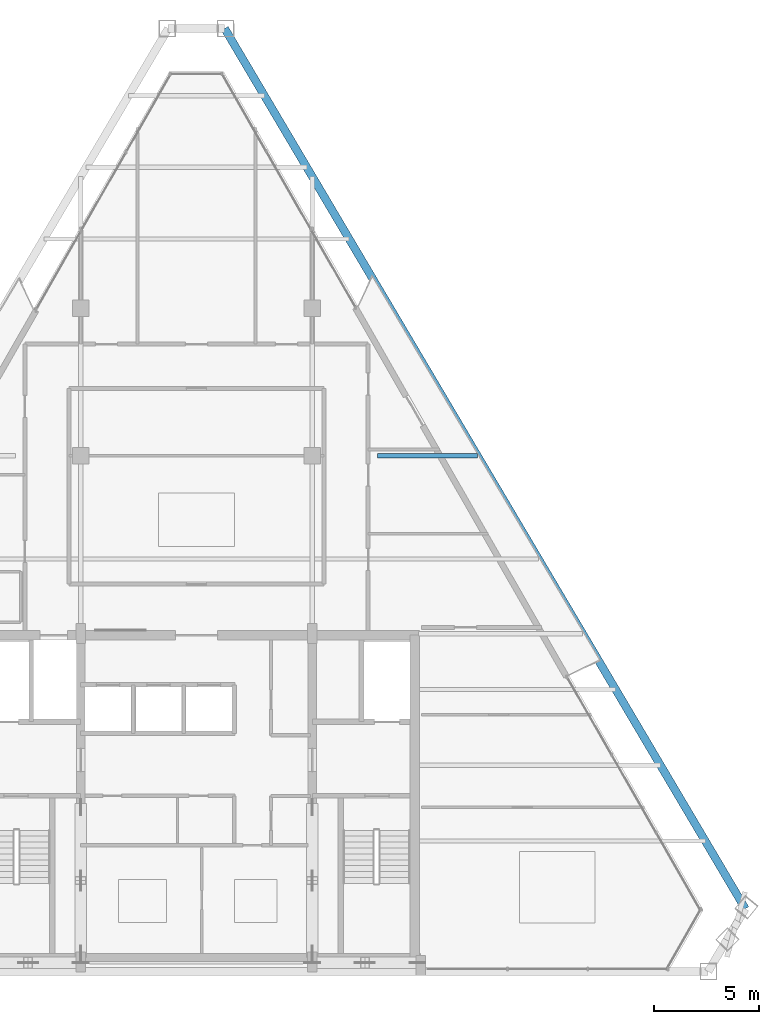
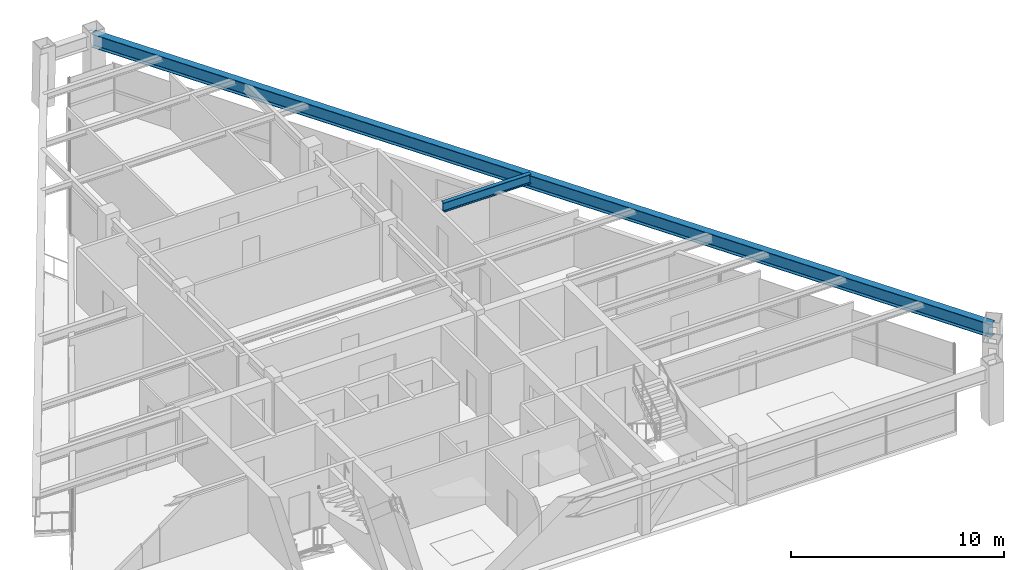
# One storey, part 6 of 13: 2 beams.
"""IFC4 building model written with IfcOpenShell, lengths in metres."""

from ifc_helpers import new_model, si_unit, direction, frame, origin, origin_2d, place, context, subcontext, project, spatial, i_section, extrude, source, transform, mapped, material, material_profile, profile_set, type_object, element, save


model = new_model("IFC4")

# Units and contexts
model_context = context("Model", 3, precision=1e-05, world=origin(), true_north=direction((0.0, 1.0)))
body_context = subcontext(model_context, "Body", "Model", "MODEL_VIEW")
ifc_project = project(units=[si_unit("LENGTHUNIT", "METRE"), si_unit("AREAUNIT", "SQUARE_METRE"), si_unit("VOLUMEUNIT", "CUBIC_METRE"), si_unit("PLANEANGLEUNIT", "RADIAN"), si_unit("MASSUNIT", "GRAM", prefix="KILO")], contexts=[model_context])

# Site, building, storey
site_placement = place(None, origin())
site = spatial("IfcSite", under=ifc_project, at=site_placement, CompositionType="ELEMENT")
building_placement = place(site_placement, origin())
building = spatial("IfcBuilding", under=site, at=building_placement, Name="Varnakhor Terracotta Tower", CompositionType="ELEMENT")
storey_placement = place(building_placement, frame((0.0, 0.0, 300.60009765625)))
storey = spatial("IfcBuildingStorey", under=building, at=storey_placement, Name="L79", CompositionType="ELEMENT", Elevation=300.60009765625)

# Beams
ifc_material = material(Name="Steel S355", Category="steel")
ifc_material_profile_1 = material_profile(ifc_material, i_section(OverallWidth=0.381103515625, OverallDepth=0.77294921875, WebThickness=0.01708984375, FlangeThickness=0.027099609375, FilletRadius=0.01806640625, at=origin_2d()), Name="W30X173")
ifc_profile_set_1 = profile_set([ifc_material_profile_1], Name="Steel S355")
beam_type_1 = type_object("IfcBeamType", Name="BM-W30X173", PredefinedType="BEAM", material=ifc_profile_set_1)
shared_shape_1 = source(origin(), body_context, "Body", "SweptSolid", [
    extrude(i_section(OverallWidth=0.381103515625, OverallDepth=0.77294921875, WebThickness=0.01708984375, FlangeThickness=0.027099609375, FilletRadius=0.01806640625, at=origin_2d()), origin(), (0.0, 0.0, 1.0), 48.57177734375),
])
beam_1_placement = place(storey_placement, frame((26.068603515625, 2.985595703125, 2.763427734375), z_axis=(-0.509097754453, 0.860708705899, 0.0), x_axis=(-0.860708705899, -0.509097754453, 0.0)))
element("IfcBeam", 1, at=beam_1_placement, inside=storey, type_object=beam_type_1, Name="L79 Perimeter Spandrel 4", PredefinedType="BEAM", context=body_context, shape_type="MappedRepresentation", body=[
    mapped(shared_shape_1, transform((0.0, 0.0, 0.0), scale=1.0)),
])
ifc_material_profile_2 = material_profile(ifc_material, i_section(OverallWidth=0.214111328125, OverallDepth=0.549072265625, WebThickness=0.014892578125, FlangeThickness=0.02392578125, FilletRadius=0.01806640625, at=origin_2d()), Name="W21X93")
ifc_profile_set_2 = profile_set([ifc_material_profile_2], Name="Steel S355")
beam_type_2 = type_object("IfcBeamType", Name="BM-W21X93", PredefinedType="BEAM", material=ifc_profile_set_2)
shared_shape_2 = source(origin(), body_context, "Body", "SweptSolid", [
    extrude(i_section(OverallWidth=0.214111328125, OverallDepth=0.549072265625, WebThickness=0.014892578125, FlangeThickness=0.02392578125, FilletRadius=0.01806640625, at=origin_2d()), origin(), (0.0, 0.0, 1.0), 4.7431640625),
])
beam_2_placement = place(storey_placement, frame((8.60009765625, 24.5, 2.87548828125), z_axis=(1.0, 0.0, 0.0), x_axis=(0.0, 1.0, 0.0)))
element("IfcBeam", 2, at=beam_2_placement, inside=storey, type_object=beam_type_2, Name="L79 Turbine Trim Girder 2E", PredefinedType="BEAM", context=body_context, shape_type="MappedRepresentation", body=[
    mapped(shared_shape_2, transform((0.0, 0.0, 0.0), scale=1.0)),
])

save(model, "model.ifc")
